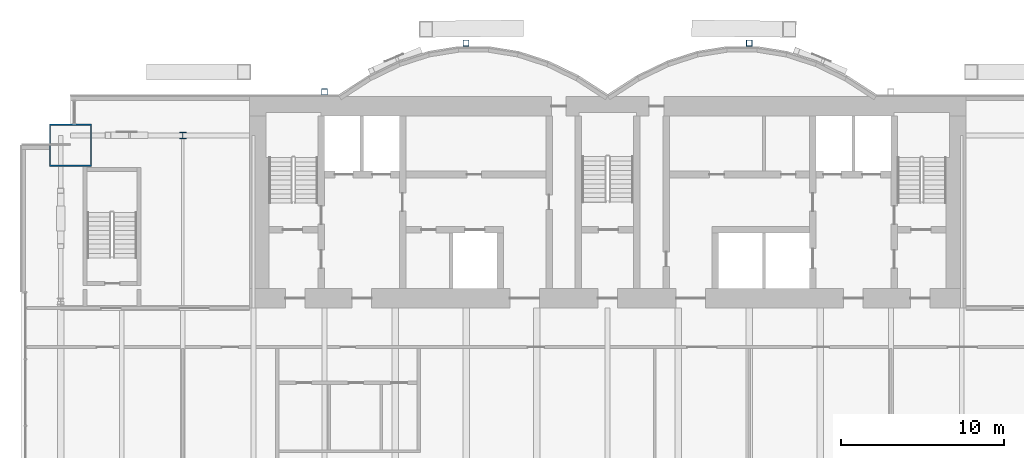
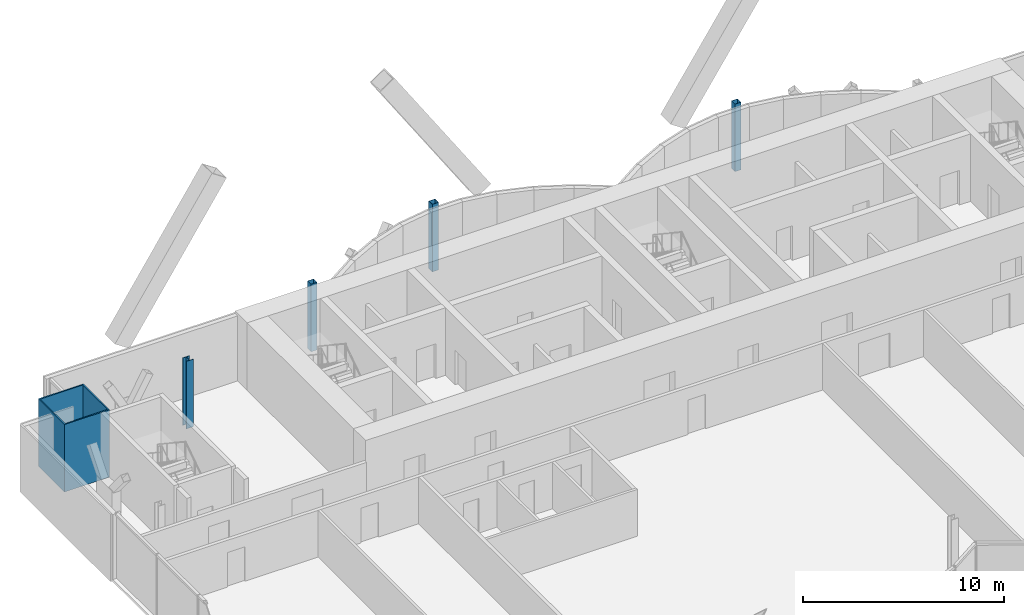
# One storey, part 3 of 22: 5 columns.
"""IFC4 building model written with IfcOpenShell, lengths in metres."""

from ifc_helpers import new_model, si_unit, direction, frame, origin, origin_2d, place, context, subcontext, project, spatial, hollow_rectangle, i_section, extrude, material, material_profile, profile_set, type_object, element, save


model = new_model("IFC4")

# Units and contexts
model_context = context("Model", 3, precision=1e-05, world=origin(), true_north=direction((0.0, 1.0)))
body_context = subcontext(model_context, "Body", "Model", "MODEL_VIEW")
ifc_project = project(units=[si_unit("LENGTHUNIT", "METRE"), si_unit("AREAUNIT", "SQUARE_METRE"), si_unit("VOLUMEUNIT", "CUBIC_METRE"), si_unit("PLANEANGLEUNIT", "RADIAN"), si_unit("MASSUNIT", "GRAM", prefix="KILO")], contexts=[model_context])

# Site, building, storey
site_placement = place(None, origin())
site = spatial("IfcSite", under=ifc_project, at=site_placement, CompositionType="ELEMENT")
building_placement = place(site_placement, origin())
building = spatial("IfcBuilding", under=site, at=building_placement, Name="Bicima Exchange Tower", CompositionType="ELEMENT")
storey_placement = place(building_placement, frame((0.0, 0.0, 144.5)))
storey = spatial("IfcBuildingStorey", under=building, at=storey_placement, Name="L31", CompositionType="ELEMENT", Elevation=144.5)

# Columns
ifc_material_1 = material(Name="Steel ASTM A572 Gr 50", Category="steel")
ifc_material_profile_1 = material_profile(ifc_material_1, hollow_rectangle(XDim=2.60009765625, YDim=2.60009765625, WallThickness=0.080078125, at=origin_2d()))
ifc_profile_set_1 = profile_set([ifc_material_profile_1], Name="Steel ASTM A572 Gr 50")
column_type_1 = type_object("IfcColumnType", Name="Mega column BOX 2600x2600x80", PredefinedType="COLUMN", material=ifc_profile_set_1)
column_1_placement = place(storey_placement, frame((-33.0, -3.0, 0.0), z_axis=(0.0, 0.0, 1.0), x_axis=(1.0, 0.0, 0.0)))
element("IfcColumn", 1, at=column_1_placement, inside=storey, type_object=column_type_1, Name="Mega column mega-33.0r", PredefinedType="COLUMN", context=body_context, shape_type="SweptSolid", body=[
    extrude(hollow_rectangle(XDim=2.60009765625, YDim=2.60009765625, WallThickness=0.080078125, at=origin_2d()), origin(), (0.0, 0.0, 1.0), 4.10009765625),
])
ifc_material_2 = material(Name="Steel ASTM A992 Gr 50", Category="steel")
ifc_material_profile_2 = material_profile(ifc_material_2, i_section(OverallWidth=0.396240234375, OverallDepth=0.381103515625, WebThickness=0.01904296875, FlangeThickness=0.0302734375, at=origin_2d()))
ifc_profile_set_2 = profile_set([ifc_material_profile_2], Name="Steel ASTM A992 Gr 50")
column_type_2 = type_object("IfcColumnType", Name="Perimeter column W14x159", PredefinedType="COLUMN", material=ifc_profile_set_2)
column_2_placement = place(storey_placement, frame((-26.10009765625, -2.39990234375, 0.0), z_axis=(0.0, 0.0, 1.0), x_axis=(1.0, 0.0, 0.0)))
element("IfcColumn", 2, at=column_2_placement, inside=storey, type_object=column_type_2, Name="Perimeter column grav-26.1r", PredefinedType="COLUMN", context=body_context, shape_type="SweptSolid", body=[
    extrude(i_section(OverallWidth=0.396240234375, OverallDepth=0.381103515625, WebThickness=0.01904296875, FlangeThickness=0.0302734375, at=origin_2d()), origin(), (0.0, 0.0, 1.0), 4.10009765625),
])
ifc_material_profile_3 = material_profile(ifc_material_1, hollow_rectangle(XDim=0.355712890625, YDim=0.355712890625, WallThickness=0.01171875, at=origin_2d()))
ifc_profile_set_3 = profile_set([ifc_material_profile_3], Name="Steel ASTM A572 Gr 50")
column_type_3 = type_object("IfcColumnType", Name="Rear pilaster HSS14x14x1/2", PredefinedType="COLUMN", material=ifc_profile_set_3)
for number, where, z_axis, x_axis, name in (
    (3, (-8.699951171875, 3.26904296875, 0.0), (0.0, 0.0, 1.0), (1.0, 0.0, 0.0), "Rear pilaster rexo-8.7r"),
    (4, (-17.39990234375, 0.278076171875, 0.0), (0.0, 0.0, 1.0), (1.0, 0.0, 0.0), "Rear pilaster rexo-17.4r"),
    (5, (8.699951171875, 3.26904296875, 0.0), (0.0, 0.0, 1.0), (1.0, 0.0, 0.0), "Rear pilaster rexo+8.7r"),
):
    element("IfcColumn", number, at=place(storey_placement, frame(where, z_axis=z_axis, x_axis=x_axis)), inside=storey, type_object=column_type_3, Name=name, PredefinedType="COLUMN", context=body_context, shape_type="SweptSolid", body=[
        extrude(hollow_rectangle(XDim=0.355712890625, YDim=0.355712890625, WallThickness=0.01171875, at=origin_2d()), origin(), (0.0, 0.0, 1.0), 4.10009765625),
    ])

save(model, "model.ifc")
